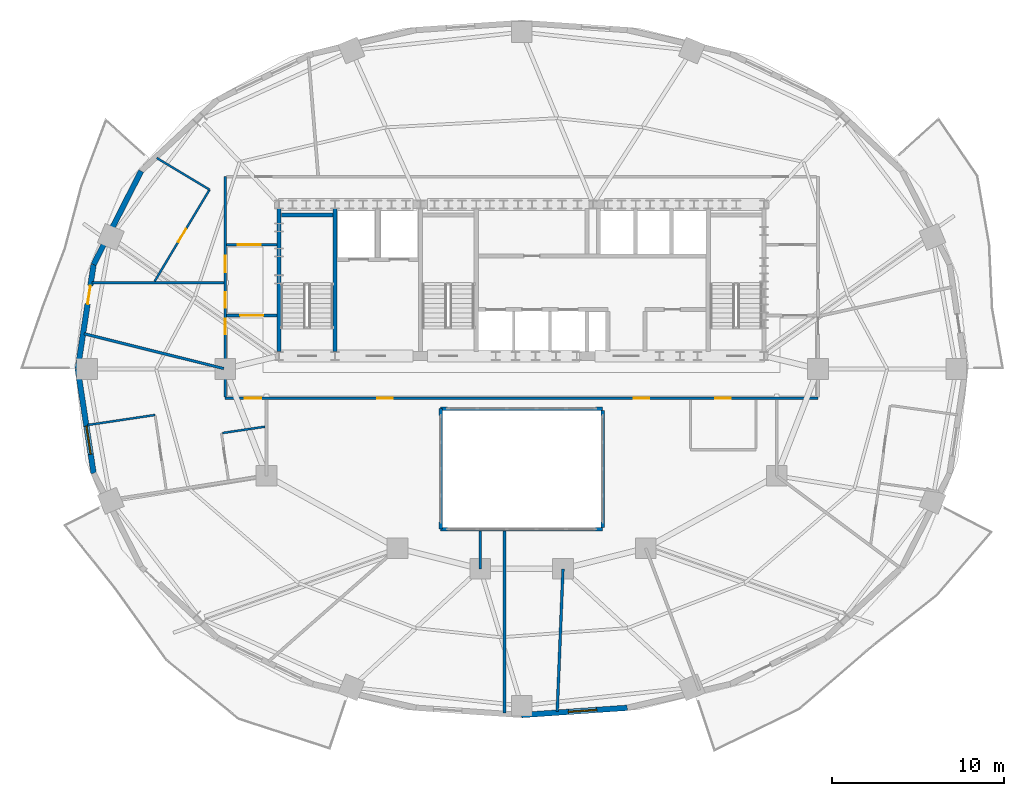
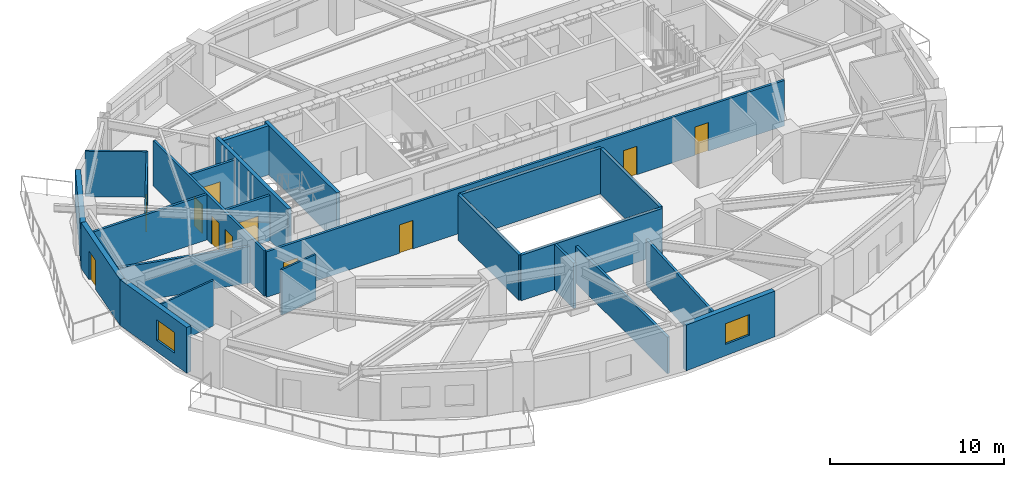
# One storey, part 6 of 12: 24 walls, 11 doors, 2 windows, 13 openings.
"""IFC4 building model written with IfcOpenShell, lengths in metres."""

from ifc_helpers import new_model, si_unit, direction, frame, frame_2d, origin, place, context, subcontext, project, spatial, rectangle, extrude, material, layer, layer_set, type_object, element, fill, save


model = new_model("IFC4")

# Units and contexts
model_context = context("Model", 3, precision=1e-05, world=origin(), true_north=direction((0.0, 1.0)))
body_context = subcontext(model_context, "Body", "Model", "MODEL_VIEW")
ifc_project = project(units=[si_unit("LENGTHUNIT", "METRE"), si_unit("AREAUNIT", "SQUARE_METRE"), si_unit("VOLUMEUNIT", "CUBIC_METRE"), si_unit("PLANEANGLEUNIT", "RADIAN"), si_unit("MASSUNIT", "GRAM", prefix="KILO")], contexts=[model_context])

# Site, building, storey
site_placement = place(None, origin())
site = spatial("IfcSite", under=ifc_project, at=site_placement, CompositionType="ELEMENT")
building_placement = place(site_placement, origin())
building = spatial("IfcBuilding", under=site, at=building_placement, Name="Haldorwick Loom Tower", CompositionType="ELEMENT")
storey_placement = place(building_placement, frame((0.0, 0.0, 161.35009765625)))
storey = spatial("IfcBuildingStorey", under=building, at=storey_placement, Name="L43", CompositionType="ELEMENT", Elevation=161.35009765625)

# Wall
ifc_material_1 = material(Name="Pressed Clay Face Brick and Insulated Masonry Backup Assembly", Category="masonry")
ifc_layer_1 = layer(ifc_material_1, 0.320068359375, Name="Pressed Clay Face Brick and Insulated Masonry Backup Assembly", Category="masonry")
ifc_layer_set_1 = layer_set([ifc_layer_1], Name="Pressed Clay Face Brick and Insulated Masonry Backup Assembly")
wall_type_1 = type_object("IfcWallType", Name="ARC-WL-EXT320", PredefinedType="STANDARD", material=ifc_layer_set_1)
wall_1_placement = place(storey_placement, frame((13.92333984375, 37.481201171875, 0.0), z_axis=(0.0, 0.0, 1.0), x_axis=(-0.453172129629, -0.89142303141, 0.0)))
element("IfcWall", 1, at=wall_1_placement, inside=storey, type_object=wall_type_1, Name="L43 Brick Pier and Spandrel Wall 11", PredefinedType="STANDARD", context=body_context, shape_type="SweptSolid", body=[
    extrude(rectangle(XDim=6.086669921875, YDim=0.320068359375, at=frame_2d((3.04345703125, 0.0))), origin(), (0.0, 0.0, 1.0), 2.640869140625),
])

# Wall, opening, door
wall_2_placement = place(storey_placement, frame((11.1650390625, 32.055419921875, 0.0), z_axis=(0.0, 0.0, 1.0), x_axis=(-0.150544467684, -0.988603238539, 0.0)))
wall_2 = element("IfcWall", 2, at=wall_2_placement, inside=storey, type_object=wall_type_1, Name="L43 Brick Pier and Spandrel Wall 12", PredefinedType="STANDARD", context=body_context, shape_type="SweptSolid", body=[
    extrude(rectangle(XDim=6.125244140625, YDim=0.320068359375, at=frame_2d((3.0625, 0.0))), origin(), (0.0, 0.0, 1.0), 3.2099609375),
])
opening_1_placement = place(wall_2_placement, frame((1.237060546875, 0.0, 0.0)))
opening_1 = element("IfcOpeningElement", 3, at=opening_1_placement, cuts=wall_2, Name="Opening D-BL11", PredefinedType="OPENING", context=body_context, shape_type="SweptSolid", body=[
    extrude(rectangle(XDim=1.080078125, YDim=2.0400390625, at=frame_2d((0.5400390625, 1.02001953125))), frame((0.0, 0.169921875, 0.0), z_axis=(0.0, -1.0, 0.0), x_axis=(1.0, 0.0, 0.0)), (0.0, 0.0, 1.0), 0.340087890625),
])
ifc_material_2 = material(Name="Thermally Broken Anodized Aluminium Curtain Wall Framing", Category="aluminium")
door_type_1 = type_object("IfcDoorType", Name="ARC-DR-BAL110", OperationType="NOTDEFINED", PredefinedType="DOOR", material=ifc_material_2)
door_1_placement = place(opening_1_placement, origin())
door_1 = element("IfcDoor", 4, at=door_1_placement, inside=storey, type_object=door_type_1, Name="L43 Outdoor Terrace Door SLB-L43-BAL_WNW", OperationType="SINGLE_SWING_RIGHT", OverallHeight=2.0400390625, OverallWidth=1.080078125, PredefinedType="DOOR", context=body_context, shape_type="SweptSolid", body=[
    extrude(rectangle(XDim=1.080078125, YDim=2.0400390625, at=frame_2d((0.5400390625, 1.02001953125))), frame((0.0, 0.02490234375, 0.0), z_axis=(0.0, -1.0, 0.0), x_axis=(1.0, 0.0, 0.0)), (0.0, 0.0, 1.0), 0.050048828125),
])
fill(opening_1, door_1)

# Wall, opening, window
wall_3_placement = place(storey_placement, frame((10.242919921875, 26.0, 0.0), z_axis=(0.0, 0.0, 1.0), x_axis=(0.150544467684, -0.988603238539, 0.0)))
wall_3 = element("IfcWall", 5, at=wall_3_placement, inside=storey, type_object=wall_type_1, Name="L43 Brick Pier and Spandrel Wall 13", PredefinedType="STANDARD", context=body_context, shape_type="SweptSolid", body=[
    extrude(rectangle(XDim=6.125244140625, YDim=0.320068359375, at=frame_2d((3.0625, 0.0))), origin(), (0.0, 0.0, 1.0), 3.2099609375),
])
opening_2_placement = place(wall_3_placement, frame((3.35205078125, 0.0, 0.800048828125)))
opening_2 = element("IfcOpeningElement", 6, at=opening_2_placement, cuts=wall_3, Name="Opening W-01B", PredefinedType="OPENING", context=body_context, shape_type="SweptSolid", body=[
    extrude(rectangle(XDim=1.64990234375, YDim=1.449951171875, at=frame_2d((0.824951171875, 0.72509765625))), frame((0.0, 0.169921875, 0.0), z_axis=(0.0, -1.0, 0.0), x_axis=(1.0, 0.0, 0.0)), (0.0, 0.0, 1.0), 0.340087890625),
])
ifc_material_3 = material(Name="Triple-Glazed Low-E Argon Insulated Glazing Unit", Category="glass")
window_type = type_object("IfcWindowType", Name="ARC-WIN-W165", PartitioningType="SINGLE_PANEL", PredefinedType="WINDOW", material=ifc_material_3)
window_1_placement = place(opening_2_placement, origin())
window_1 = element("IfcWindow", 7, at=window_1_placement, inside=storey, type_object=window_type, Name="L43 Deep-Set Zone 7A Window 13", OverallHeight=1.449951171875, OverallWidth=1.64990234375, PartitioningType="SINGLE_PANEL", PredefinedType="WINDOW", context=body_context, shape_type="SweptSolid", body=[
    extrude(rectangle(XDim=1.64990234375, YDim=1.449951171875, at=frame_2d((0.824951171875, 0.72509765625))), frame((0.0, 0.030029296875, 0.0), z_axis=(0.0, -1.0, 0.0), x_axis=(1.0, 0.0, 0.0)), (0.0, 0.0, 1.0), 0.06005859375),
])
fill(opening_2, window_1)

wall_4_placement = place(storey_placement, frame((36.0, 5.915283203125, 0.0), z_axis=(0.0, 0.0, 1.0), x_axis=(0.997652942988, 0.068473391522, 0.0)))
wall_4 = element("IfcWall", 8, at=wall_4_placement, inside=storey, type_object=wall_type_1, Name="L43 Brick Pier and Spandrel Wall 19", PredefinedType="STANDARD", context=body_context, shape_type="SweptSolid", body=[
    extrude(rectangle(XDim=6.143310546875, YDim=0.320068359375, at=frame_2d((3.07177734375, 0.0))), origin(), (0.0, 0.0, 1.0), 3.2099609375),
])
opening_3_placement = place(wall_4_placement, frame((2.723388671875, 0.0, 0.800048828125)))
opening_3 = element("IfcOpeningElement", 9, at=opening_3_placement, cuts=wall_4, Name="Opening W-01B", PredefinedType="OPENING", context=body_context, shape_type="SweptSolid", body=[
    extrude(rectangle(XDim=1.64990234375, YDim=1.449951171875, at=frame_2d((0.824951171875, 0.72509765625))), frame((0.0, 0.169921875, 0.0), z_axis=(0.0, -1.0, 0.0), x_axis=(1.0, 0.0, 0.0)), (0.0, 0.0, 1.0), 0.340087890625),
])
window_2_placement = place(opening_3_placement, origin())
window_2 = element("IfcWindow", 10, at=window_2_placement, inside=storey, type_object=window_type, Name="L43 Deep-Set Zone 7A Window 19", OverallHeight=1.449951171875, OverallWidth=1.64990234375, PartitioningType="SINGLE_PANEL", PredefinedType="WINDOW", context=body_context, shape_type="SweptSolid", body=[
    extrude(rectangle(XDim=1.64990234375, YDim=1.449951171875, at=frame_2d((0.824951171875, 0.72509765625))), frame((0.0, 0.030029296875, 0.0), z_axis=(0.0, -1.0, 0.0), x_axis=(1.0, 0.0, 0.0)), (0.0, 0.0, 1.0), 0.06005859375),
])
fill(opening_3, window_2)

# Wall, openings, doors
ifc_material_4 = material(Name="Fire-Rated Type X Gypsum Stud Assembly EI 60")
ifc_layer_2 = layer(ifc_material_4, 0.159912109375, Name="Fire-Rated Type X Gypsum Stud Assembly EI 60")
ifc_layer_set_2 = layer_set([ifc_layer_2], Name="Fire-Rated Type X Gypsum Stud Assembly EI 60")
wall_type_2 = type_object("IfcWallType", Name="ARC-WL-FIRE160", PredefinedType="PARTITIONING", material=ifc_layer_set_2)
wall_5_placement = place(storey_placement, frame((18.800048828125, 24.300048828125, 0.0), z_axis=(0.0, 0.0, 1.0), x_axis=(1.0, 0.0, 0.0)))
wall_5 = element("IfcWall", 11, at=wall_5_placement, inside=storey, type_object=wall_type_2, Name="L43 Residential Fire Partition L43-CR-SP", PredefinedType="PARTITIONING", context=body_context, shape_type="SweptSolid", body=[
    extrude(rectangle(XDim=34.39990234375, YDim=0.159912109375, at=frame_2d((17.199951171875, 0.0))), origin(), (0.0, 0.0, 1.0), 3.19482421875),
])
opening_4_placement = place(wall_5_placement, frame((23.6962890625, 0.0, 0.0)))
opening_4 = element("IfcOpeningElement", 12, at=opening_4_placement, cuts=wall_5, Name="Opening D-FD60A", PredefinedType="OPENING", context=body_context, shape_type="SweptSolid", body=[
    extrude(rectangle(XDim=0.89990234375, YDim=2.0, at=frame_2d((0.449951171875, 1.0))), frame((0.0, 0.08984375, 0.0), z_axis=(0.0, -1.0, 0.0), x_axis=(1.0, 0.0, 0.0)), (0.0, 0.0, 1.0), 0.179931640625),
])
opening_5_placement = place(wall_5_placement, frame((8.8115234375, 0.0, 0.0)))
opening_5 = element("IfcOpeningElement", 13, at=opening_5_placement, cuts=wall_5, Name="Opening D-FD60A", PredefinedType="OPENING", context=body_context, shape_type="SweptSolid", body=[
    extrude(rectangle(XDim=0.89990234375, YDim=2.0, at=frame_2d((0.449951171875, 1.0))), frame((0.0, 0.08984375, 0.0), z_axis=(0.0, -1.0, 0.0), x_axis=(1.0, 0.0, 0.0)), (0.0, 0.0, 1.0), 0.179931640625),
])
opening_6_placement = place(wall_5_placement, frame((28.437255859375, 0.0, 0.0)))
opening_6 = element("IfcOpeningElement", 14, at=opening_6_placement, cuts=wall_5, Name="Opening D-FD60A", PredefinedType="OPENING", context=body_context, shape_type="SweptSolid", body=[
    extrude(rectangle(XDim=0.89990234375, YDim=2.0, at=frame_2d((0.449951171875, 1.0))), frame((0.0, 0.08984375, 0.0), z_axis=(0.0, -1.0, 0.0), x_axis=(1.0, 0.0, 0.0)), (0.0, 0.0, 1.0), 0.179931640625),
])
opening_7_placement = place(wall_5_placement, frame((1.130859375, 0.0, 0.0)))
opening_7 = element("IfcOpeningElement", 15, at=opening_7_placement, cuts=wall_5, Name="Opening D-FL95", PredefinedType="OPENING", context=body_context, shape_type="SweptSolid", body=[
    extrude(rectangle(XDim=0.949951171875, YDim=2.0400390625, at=frame_2d((0.47509765625, 1.02001953125))), frame((0.0, 0.08984375, 0.0), z_axis=(0.0, -1.0, 0.0), x_axis=(1.0, 0.0, 0.0)), (0.0, 0.0, 1.0), 0.179931640625),
])
ifc_material_5 = material(Name="Hollow Steel Fire Door Assembly", Category="steel")
door_type_2 = type_object("IfcDoorType", Name="ARC-DR-FD60-90", OperationType="NOTDEFINED", PredefinedType="DOOR", material=ifc_material_5)
door_2_placement = place(opening_4_placement, origin())
door_2 = element("IfcDoor", 16, at=door_2_placement, inside=storey, type_object=door_type_2, Name="L43 L43 Central Residential Corridor to Co-Working Open Office 1 Door", OperationType="SINGLE_SWING_LEFT", OverallHeight=2.0, OverallWidth=0.89990234375, PredefinedType="DOOR", context=body_context, shape_type="SweptSolid", body=[
    extrude(rectangle(XDim=0.89990234375, YDim=2.0, at=frame_2d((0.449951171875, 1.0))), frame((0.0, 0.02490234375, 0.0), z_axis=(0.0, -1.0, 0.0), x_axis=(1.0, 0.0, 0.0)), (0.0, 0.0, 1.0), 0.050048828125),
])
fill(opening_4, door_2)
door_3_placement = place(opening_5_placement, origin())
door_3 = element("IfcDoor", 17, at=door_3_placement, inside=storey, type_object=door_type_2, Name="L43 L43 Central Residential Corridor to Co-Working Open Office 2 Door", OperationType="SINGLE_SWING_RIGHT", OverallHeight=2.0, OverallWidth=0.89990234375, PredefinedType="DOOR", context=body_context, shape_type="SweptSolid", body=[
    extrude(rectangle(XDim=0.89990234375, YDim=2.0, at=frame_2d((0.449951171875, 1.0))), frame((0.0, 0.02490234375, 0.0), z_axis=(0.0, -1.0, 0.0), x_axis=(1.0, 0.0, 0.0)), (0.0, 0.0, 1.0), 0.050048828125),
])
fill(opening_5, door_3)
door_4_placement = place(opening_6_placement, origin())
door_4 = element("IfcDoor", 18, at=door_4_placement, inside=storey, type_object=door_type_2, Name="L43 L43 Central Residential Corridor to Common Accessible WC Door", OperationType="SINGLE_SWING_LEFT", OverallHeight=2.0, OverallWidth=0.89990234375, PredefinedType="DOOR", context=body_context, shape_type="SweptSolid", body=[
    extrude(rectangle(XDim=0.89990234375, YDim=2.0, at=frame_2d((0.449951171875, 1.0))), frame((0.0, 0.02490234375, 0.0), z_axis=(0.0, -1.0, 0.0), x_axis=(1.0, 0.0, 0.0)), (0.0, 0.0, 1.0), 0.050048828125),
])
fill(opening_6, door_4)
ifc_material_6 = material(Name="Solid Core Birch Architectural Door")
door_type_3 = type_object("IfcDoorType", Name="ARC-DR-FLAT95", OperationType="NOTDEFINED", PredefinedType="DOOR", material=ifc_material_6)
door_5_placement = place(opening_7_placement, origin())
door_5 = element("IfcDoor", 19, at=door_5_placement, inside=storey, type_object=door_type_3, Name="L43 L43 Central Residential Corridor to Unit 43A Kitchen and Living Room", OperationType="SINGLE_SWING_LEFT", OverallHeight=2.0400390625, OverallWidth=0.949951171875, PredefinedType="DOOR", context=body_context, shape_type="SweptSolid", body=[
    extrude(rectangle(XDim=0.949951171875, YDim=2.0400390625, at=frame_2d((0.47509765625, 1.02001953125))), frame((0.0, 0.02490234375, 0.0), z_axis=(0.0, -1.0, 0.0), x_axis=(1.0, 0.0, 0.0)), (0.0, 0.0, 1.0), 0.050048828125),
])
fill(opening_7, door_5)

wall_6_placement = place(storey_placement, frame((18.800048828125, 24.383056640625, 0.0), z_axis=(0.0, 0.0, 1.0), x_axis=(0.0, 1.0, 0.0)))
wall_6 = element("IfcWall", 20, at=wall_6_placement, inside=storey, type_object=wall_type_2, Name="L43 Residential Fire Partition L43-CR-W0", PredefinedType="PARTITIONING", context=body_context, shape_type="SweptSolid", body=[
    extrude(rectangle(XDim=12.766845703125, YDim=0.159912109375, at=frame_2d((6.38330078125, 0.0))), origin(), (0.0, 0.0, 1.0), 3.19482421875),
])
opening_8_placement = place(wall_6_placement, frame((3.62158203125, 0.0, 0.0)))
opening_8 = element("IfcOpeningElement", 21, at=opening_8_placement, cuts=wall_6, Name="Opening D-FD60A", PredefinedType="OPENING", context=body_context, shape_type="SweptSolid", body=[
    extrude(rectangle(XDim=0.89990234375, YDim=2.0, at=frame_2d((0.449951171875, 1.0))), frame((0.0, 0.08984375, 0.0), z_axis=(0.0, -1.0, 0.0), x_axis=(1.0, 0.0, 0.0)), (0.0, 0.0, 1.0), 0.179931640625),
])
opening_9_placement = place(wall_6_placement, frame((7.229248046875, 0.0, 0.0)))
opening_9 = element("IfcOpeningElement", 22, at=opening_9_placement, cuts=wall_6, Name="Opening D-FL95", PredefinedType="OPENING", context=body_context, shape_type="SweptSolid", body=[
    extrude(rectangle(XDim=0.949951171875, YDim=2.0400390625, at=frame_2d((0.47509765625, 1.02001953125))), frame((0.0, 0.08984375, 0.0), z_axis=(0.0, -1.0, 0.0), x_axis=(1.0, 0.0, 0.0)), (0.0, 0.0, 1.0), 0.179931640625),
])
opening_10_placement = place(wall_6_placement, frame((5.1630859375, 0.0, 0.0)))
opening_10 = element("IfcOpeningElement", 23, at=opening_10_placement, cuts=wall_6, Name="Opening D-FD60A", PredefinedType="OPENING", context=body_context, shape_type="SweptSolid", body=[
    extrude(rectangle(XDim=0.89990234375, YDim=2.0, at=frame_2d((0.449951171875, 1.0))), frame((0.0, 0.08984375, 0.0), z_axis=(0.0, -1.0, 0.0), x_axis=(1.0, 0.0, 0.0)), (0.0, 0.0, 1.0), 0.179931640625),
])
door_6_placement = place(opening_8_placement, frame((0.89990234375, 0.0, 0.0), z_axis=(0.0, 0.0, 1.0), x_axis=(-1.0, 0.0, 0.0)))
door_6 = element("IfcDoor", 24, at=door_6_placement, inside=storey, type_object=door_type_2, Name="L43 Resident Study Room 1 to L43 Central Residential Corridor Door", OperationType="SINGLE_SWING_LEFT", OverallHeight=2.0, OverallWidth=0.89990234375, PredefinedType="DOOR", context=body_context, shape_type="SweptSolid", body=[
    extrude(rectangle(XDim=0.89990234375, YDim=2.0, at=frame_2d((0.449951171875, 1.0))), frame((0.0, 0.02490234375, 0.0), z_axis=(0.0, -1.0, 0.0), x_axis=(1.0, 0.0, 0.0)), (0.0, 0.0, 1.0), 0.050048828125),
])
fill(opening_8, door_6)
door_7_placement = place(opening_10_placement, frame((0.89990234375, 0.0, 0.0), z_axis=(0.0, 0.0, 1.0), x_axis=(-1.0, 0.0, 0.0)))
door_7 = element("IfcDoor", 25, at=door_7_placement, inside=storey, type_object=door_type_2, Name="L43 Resident Study Room 1 to L43 West Residential Corridor Door", OperationType="SINGLE_SWING_LEFT", OverallHeight=2.0, OverallWidth=0.89990234375, PredefinedType="DOOR", context=body_context, shape_type="SweptSolid", body=[
    extrude(rectangle(XDim=0.89990234375, YDim=2.0, at=frame_2d((0.449951171875, 1.0))), frame((0.0, 0.02490234375, 0.0), z_axis=(0.0, -1.0, 0.0), x_axis=(1.0, 0.0, 0.0)), (0.0, 0.0, 1.0), 0.050048828125),
])
fill(opening_10, door_7)
door_8_placement = place(opening_9_placement, frame((0.949951171875, 0.0, 0.0), z_axis=(0.0, 0.0, 1.0), x_axis=(-1.0, 0.0, 0.0)))
door_8 = element("IfcDoor", 26, at=door_8_placement, inside=storey, type_object=door_type_3, Name="L43 Unit 43B Kitchen and Studio Living Room to L43 West Residential Corr", OperationType="SINGLE_SWING_RIGHT", OverallHeight=2.0400390625, OverallWidth=0.949951171875, PredefinedType="DOOR", context=body_context, shape_type="SweptSolid", body=[
    extrude(rectangle(XDim=0.949951171875, YDim=2.0400390625, at=frame_2d((0.47509765625, 1.02001953125))), frame((0.0, 0.02490234375, 0.0), z_axis=(0.0, -1.0, 0.0), x_axis=(1.0, 0.0, 0.0)), (0.0, 0.0, 1.0), 0.050048828125),
])
fill(opening_9, door_8)

# Wall, opening, door
wall_7_placement = place(storey_placement, frame((18.883056640625, 29.10009765625, 0.0), z_axis=(0.0, 0.0, 1.0), x_axis=(1.0, 0.0, 0.0)))
wall_7 = element("IfcWall", 27, at=wall_7_placement, inside=storey, type_object=wall_type_2, Name="L43 Residential Fire Partition L43-CR-WSJ", PredefinedType="PARTITIONING", context=body_context, shape_type="SweptSolid", body=[
    extrude(rectangle(XDim=2.923828125, YDim=0.159912109375, at=frame_2d((1.4619140625, 0.0))), origin(), (0.0, 0.0, 1.0), 3.19482421875),
])
opening_11_placement = place(wall_7_placement, frame((0.787109375, 0.0, 0.0)))
opening_11 = element("IfcOpeningElement", 28, at=opening_11_placement, cuts=wall_7, Name="Opening D-CR15", PredefinedType="OPENING", context=body_context, shape_type="SweptSolid", body=[
    extrude(rectangle(XDim=1.35009765625, YDim=2.0, at=frame_2d((0.675048828125, 1.0))), frame((0.0, 0.08984375, 0.0), z_axis=(0.0, -1.0, 0.0), x_axis=(1.0, 0.0, 0.0)), (0.0, 0.0, 1.0), 0.179931640625),
])
ifc_material_7 = material(Name="Thermally Broken Anodized Aluminium and Tempered Glass", Category="aluminium")
door_type_4 = type_object("IfcDoorType", Name="ARC-DR-COR150", OperationType="NOTDEFINED", PredefinedType="DOOR", material=ifc_material_7)
door_9_placement = place(opening_11_placement, origin())
door_9 = element("IfcDoor", 29, at=door_9_placement, inside=storey, type_object=door_type_4, Name="L43 L43 West Residential Corridor to L43 Central Residential Corridor Do", OperationType="DOUBLE_DOOR_SINGLE_SWING", OverallHeight=2.0, OverallWidth=1.35009765625, PredefinedType="DOOR", context=body_context, shape_type="SweptSolid", body=[
    extrude(rectangle(XDim=1.35009765625, YDim=2.0, at=frame_2d((0.675048828125, 1.0))), frame((0.0, 0.02490234375, 0.0), z_axis=(0.0, -1.0, 0.0), x_axis=(1.0, 0.0, 0.0)), (0.0, 0.0, 1.0), 0.050048828125),
])
fill(opening_11, door_9)

wall_8_placement = place(storey_placement, frame((18.883056640625, 33.199951171875, 0.0), z_axis=(0.0, 0.0, 1.0), x_axis=(1.0, 0.0, 0.0)))
wall_8 = element("IfcWall", 30, at=wall_8_placement, inside=storey, type_object=wall_type_2, Name="L43 Residential Fire Partition L43-CR-WNJ", PredefinedType="PARTITIONING", context=body_context, shape_type="SweptSolid", body=[
    extrude(rectangle(XDim=2.923828125, YDim=0.159912109375, at=frame_2d((1.4619140625, 0.0))), origin(), (0.0, 0.0, 1.0), 3.19482421875),
])
opening_12_placement = place(wall_8_placement, frame((0.637939453125, 0.0, 0.0)))
opening_12 = element("IfcOpeningElement", 31, at=opening_12_placement, cuts=wall_8, Name="Opening D-CR15", PredefinedType="OPENING", context=body_context, shape_type="SweptSolid", body=[
    extrude(rectangle(XDim=1.35009765625, YDim=2.0, at=frame_2d((0.675048828125, 1.0))), frame((0.0, 0.08984375, 0.0), z_axis=(0.0, -1.0, 0.0), x_axis=(1.0, 0.0, 0.0)), (0.0, 0.0, 1.0), 0.179931640625),
])
door_10_placement = place(opening_12_placement, origin())
door_10 = element("IfcDoor", 32, at=door_10_placement, inside=storey, type_object=door_type_4, Name="L43 L43 North Residential Corridor to L43 West Residential Corridor Door", OperationType="DOUBLE_DOOR_SINGLE_SWING", OverallHeight=2.0, OverallWidth=1.35009765625, PredefinedType="DOOR", context=body_context, shape_type="SweptSolid", body=[
    extrude(rectangle(XDim=1.35009765625, YDim=2.0, at=frame_2d((0.675048828125, 1.0))), frame((0.0, 0.02490234375, 0.0), z_axis=(0.0, -1.0, 0.0), x_axis=(1.0, 0.0, 0.0)), (0.0, 0.0, 1.0), 0.050048828125),
])
fill(opening_12, door_10)

# Walls
wall_9_placement = place(storey_placement, frame((38.39990234375, 14.39990234375, 0.0), z_axis=(0.0, 0.0, 1.0), x_axis=(-0.040315228746, -0.99918701069, 0.0)))
element("IfcWall", 33, at=wall_9_placement, inside=storey, type_object=wall_type_2, Name="L43 Residential Fire Partition L43-ICR-06", PredefinedType="PARTITIONING", context=body_context, shape_type="SweptSolid", body=[
    extrude(rectangle(XDim=8.284423828125, YDim=0.159912109375, at=frame_2d((4.14208984375, 0.0))), origin(), (0.0, 0.0, 1.0), 3.19482421875),
])
wall_10_placement = place(storey_placement, frame((18.717041015625, 26.020751953125, 0.0), z_axis=(0.0, 0.0, 1.0), x_axis=(-0.97029374306, 0.241929849708, 0.0)))
element("IfcWall", 34, at=wall_10_placement, inside=storey, type_object=wall_type_2, Name="L43 Residential Fire Partition L43-ICR-12", PredefinedType="PARTITIONING", context=body_context, shape_type="SweptSolid", body=[
    extrude(rectangle(XDim=8.345458984375, YDim=0.159912109375, at=frame_2d((4.1728515625, 0.0))), origin(), (0.0, 0.0, 1.0), 2.56787109375),
])
wall_11_placement = place(storey_placement, frame((35.0, 6.04931640625, 0.0), z_axis=(0.0, 0.0, 1.0), x_axis=(0.0, 1.0, 0.0)))
element("IfcWall", 35, at=wall_11_placement, inside=storey, type_object=wall_type_2, Name="L43 Residential Fire Partition L43-SBP-0", PredefinedType="PARTITIONING", context=body_context, shape_type="SweptSolid", body=[
    extrude(rectangle(XDim=10.547607421875, YDim=0.159912109375, at=frame_2d((5.27392578125, 0.0))), origin(), (0.0, 0.0, 1.0), 2.56787109375),
])
wall_12_placement = place(storey_placement, frame((33.60009765625, 16.596923828125, 0.0), z_axis=(0.0, 0.0, 1.0), x_axis=(0.0, -1.0, 0.0)))
element("IfcWall", 36, at=wall_12_placement, inside=storey, type_object=wall_type_2, Name="L43 Residential Fire Partition L43-ICA-07", PredefinedType="PARTITIONING", context=body_context, shape_type="SweptSolid", body=[
    extrude(rectangle(XDim=2.197021484375, YDim=0.159912109375, at=frame_2d((1.0986328125, 0.0))), origin(), (0.0, 0.0, 1.0), 3.19482421875),
])
wall_13_placement = place(storey_placement, frame((11.070068359375, 31.0, 0.0), z_axis=(0.0, 0.0, 1.0), x_axis=(1.0, 0.0, 0.0)))
element("IfcWall", 37, at=wall_13_placement, inside=storey, type_object=wall_type_2, Name="L43 Residential Fire Partition L43-FLW-17", PredefinedType="PARTITIONING", context=body_context, shape_type="SweptSolid", body=[
    extrude(rectangle(XDim=7.64697265625, YDim=0.159912109375, at=frame_2d((3.823486328125, 0.0))), origin(), (0.0, 0.0, 1.0), 3.19482421875),
])
ifc_material_8 = material(Name="Fire-Rated Type X Gypsum Stud Assembly EI 120")
ifc_layer_3 = layer(ifc_material_8, 0.199951171875, Name="Fire-Rated Type X Gypsum Stud Assembly EI 120")
ifc_layer_set_3 = layer_set([ifc_layer_3], Name="Fire-Rated Type X Gypsum Stud Assembly EI 120")
wall_type_3 = type_object("IfcWallType", Name="ARC-WL-FIRE200", PredefinedType="PARTITIONING", material=ifc_layer_set_3)
for number, where, z_axis, x_axis, name in (
    (38, (31.300048828125, 23.699951171875, 0.0), (0.0, 0.0, 1.0), (1.0, 0.0, 0.0), "L43 Atrium Fire Enclosure Wall N"),
    (39, (40.699951171875, 16.699951171875, 0.0), (0.0, 0.0, 1.0), (-1.0, 0.0, 0.0), "L43 Atrium Fire Enclosure Wall S"),
):
    element("IfcWall", number, at=place(storey_placement, frame(where, z_axis=z_axis, x_axis=x_axis)), inside=storey, type_object=wall_type_3, Name=name, PredefinedType="PARTITIONING", context=body_context, shape_type="SweptSolid", body=[
        extrude(rectangle(XDim=9.39990234375, YDim=0.199951171875, at=frame_2d((4.699951171875, 0.0))), origin(), (0.0, 0.0, 1.0), 3.19482421875),
    ])
wall_14_placement = place(storey_placement, frame((31.300048828125, 16.699951171875, 0.0), z_axis=(0.0, 0.0, 1.0), x_axis=(0.0, 1.0, 0.0)))
element("IfcWall", 40, at=wall_14_placement, inside=storey, type_object=wall_type_3, Name="L43 Atrium Fire Enclosure Wall W", PredefinedType="PARTITIONING", context=body_context, shape_type="SweptSolid", body=[
    extrude(rectangle(XDim=7.0, YDim=0.199951171875, at=frame_2d((3.5, 0.0))), origin(), (0.0, 0.0, 1.0), 3.19482421875),
])
wall_15_placement = place(storey_placement, frame((40.699951171875, 23.596923828125, 0.0), z_axis=(0.0, 0.0, 1.0), x_axis=(0.0, -1.0, 0.0)))
element("IfcWall", 41, at=wall_15_placement, inside=storey, type_object=wall_type_3, Name="L43 Atrium Fire Enclosure Wall E", PredefinedType="PARTITIONING", context=body_context, shape_type="SweptSolid", body=[
    extrude(rectangle(XDim=6.7939453125, YDim=0.199951171875, at=frame_2d((3.39697265625, 0.0))), origin(), (0.0, 0.0, 1.0), 3.19482421875),
])
ifc_material_9 = material(Name="Acoustic Gypsum Stud Assembly STC 55")
ifc_layer_4 = layer(ifc_material_9, 0.1201171875, Name="Acoustic Gypsum Stud Assembly STC 55")
ifc_layer_set_4 = layer_set([ifc_layer_4], Name="Acoustic Gypsum Stud Assembly STC 55")
wall_type_4 = type_object("IfcWallType", Name="ARC-WL-PART120", PredefinedType="PARTITIONING", material=ifc_layer_set_4)
wall_16_placement = place(storey_placement, frame((21.116943359375, 22.648681640625, 0.0), z_axis=(0.0, 0.0, 1.0), x_axis=(-0.989077144291, -0.147398787785, 0.0)))
element("IfcWall", 42, at=wall_16_placement, inside=storey, type_object=wall_type_4, Name="L43 Unit 43A Interior Partition", PredefinedType="PARTITIONING", context=body_context, shape_type="SweptSolid", body=[
    extrude(rectangle(XDim=2.497802734375, YDim=0.1201171875, at=frame_2d((1.2490234375, 0.0))), origin(), (0.0, 0.0, 1.0), 3.19482421875),
])
wall_17_placement = place(storey_placement, frame((14.731201171875, 23.3271484375, 0.0), z_axis=(0.0, 0.0, 1.0), x_axis=(-0.989064996369, -0.147480279896, 0.0)))
element("IfcWall", 43, at=wall_17_placement, inside=storey, type_object=wall_type_4, Name="L43 Unit 43A Interior Partition", PredefinedType="PARTITIONING", context=body_context, shape_type="SweptSolid", body=[
    extrude(rectangle(XDim=3.9697265625, YDim=0.1201171875, at=frame_2d((1.98486328125, 0.0))), origin(), (0.0, 0.0, 1.0), 3.19482421875),
])

# Wall, opening, door
wall_18_placement = place(storey_placement, frame((17.892333984375, 36.401611328125, 0.0), z_axis=(0.0, 0.0, 1.0), x_axis=(-0.51391655632, -0.857840179253, 0.0)))
wall_18 = element("IfcWall", 44, at=wall_18_placement, inside=storey, type_object=wall_type_4, Name="L43 Unit 43B Interior Partition", PredefinedType="PARTITIONING", context=body_context, shape_type="SweptSolid", body=[
    extrude(rectangle(XDim=6.199951171875, YDim=0.1201171875, at=frame_2d((3.10009765625, 0.0))), origin(), (0.0, 0.0, 1.0), 3.19482421875),
])
opening_13_placement = place(wall_18_placement, frame((2.66015625, 0.0, 0.0)))
opening_13 = element("IfcOpeningElement", 45, at=opening_13_placement, cuts=wall_18, Name="Opening D-BT88", PredefinedType="OPENING", context=body_context, shape_type="SweptSolid", body=[
    extrude(rectangle(XDim=0.8798828125, YDim=2.02001953125, at=frame_2d((0.43994140625, 1.010009765625))), frame((0.0, 0.070068359375, 0.0), z_axis=(0.0, -1.0, 0.0), x_axis=(1.0, 0.0, 0.0)), (0.0, 0.0, 1.0), 0.14013671875),
])
door_type_5 = type_object("IfcDoorType", Name="ARC-DR-BATH88", OperationType="NOTDEFINED", PredefinedType="DOOR", material=ifc_material_6)
door_11_placement = place(opening_13_placement, origin())
door_11 = element("IfcDoor", 46, at=door_11_placement, inside=storey, type_object=door_type_5, Name="L43 Unit 43B Kitchen and Studio Living Room to Unit 43B Bathroom Door", OperationType="SINGLE_SWING_LEFT", OverallHeight=2.02001953125, OverallWidth=0.8798828125, PredefinedType="DOOR", context=body_context, shape_type="SweptSolid", body=[
    extrude(rectangle(XDim=0.8798828125, YDim=2.02001953125, at=frame_2d((0.43994140625, 1.010009765625))), frame((0.0, 0.02490234375, 0.0), z_axis=(0.0, -1.0, 0.0), x_axis=(1.0, 0.0, 0.0)), (0.0, 0.0, 1.0), 0.050048828125),
])
fill(opening_13, door_11)

# Walls
wall_19_placement = place(storey_placement, frame((17.892333984375, 36.401611328125, 0.0), z_axis=(0.0, 0.0, 1.0), x_axis=(-0.85781861304, 0.513952553376, 0.0)))
element("IfcWall", 47, at=wall_19_placement, inside=storey, type_object=wall_type_4, Name="L43 Unit 43B Interior Partition", PredefinedType="PARTITIONING", context=body_context, shape_type="SweptSolid", body=[
    extrude(rectangle(XDim=3.56982421875, YDim=0.1201171875, at=frame_2d((1.784912109375, 0.0))), origin(), (0.0, 0.0, 1.0), 3.19482421875),
])
ifc_material_10 = material(Name="Concrete C50 (50 MPa)", Category="concrete")
ifc_layer_5 = layer(ifc_material_10, 0.239990234375, Name="Concrete C50 (50 MPa)", Category="concrete")
ifc_layer_set_5 = layer_set([ifc_layer_5], Name="Concrete C50 (50 MPa)")
wall_type_5 = type_object("IfcWallType", Name="STR-WL-SHAFT240", PredefinedType="SHEAR", material=ifc_layer_set_5)
for number, where, z_axis, x_axis, name in (
    (48, (21.929931640625, 35.297119140625, 0.0), (0.0, 0.0, 1.0), (0.0, -1.0, 0.0), "L43 Core Shear Wall W"),
    (49, (25.169921875, 27.0029296875, 0.0), (0.0, 0.0, 1.0), (0.0, 1.0, 0.0), "L43 Core Shear Wall 1"),
):
    element("IfcWall", number, at=place(storey_placement, frame(where, z_axis=z_axis, x_axis=x_axis)), inside=storey, type_object=wall_type_5, Name=name, PredefinedType="SHEAR", context=body_context, shape_type="SweptSolid", body=[
        extrude(rectangle(XDim=8.294189453125, YDim=0.239990234375, at=frame_2d((4.14697265625, 0.0))), origin(), (0.0, 0.0, 1.0), 3.449951171875),
    ])
wall_20_placement = place(storey_placement, frame((22.052978515625, 34.919921875, 0.0), z_axis=(0.0, 0.0, 1.0), x_axis=(1.0, 0.0, 0.0)))
element("IfcWall", 50, at=wall_20_placement, inside=storey, type_object=wall_type_5, Name="L43 Core Shear Wall 1N", PredefinedType="SHEAR", context=body_context, shape_type="SweptSolid", body=[
    extrude(rectangle(XDim=2.994140625, YDim=0.239990234375, at=frame_2d((1.4970703125, 0.0))), origin(), (0.0, 0.0, 1.0), 3.449951171875),
])

save(model, "model.ifc")
